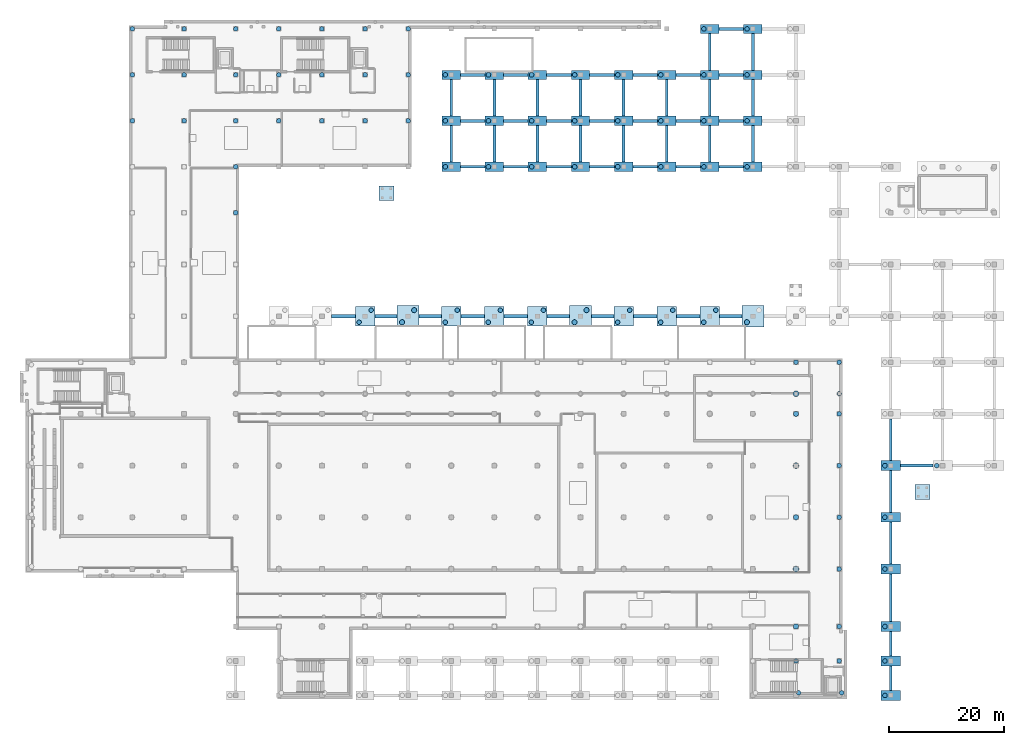
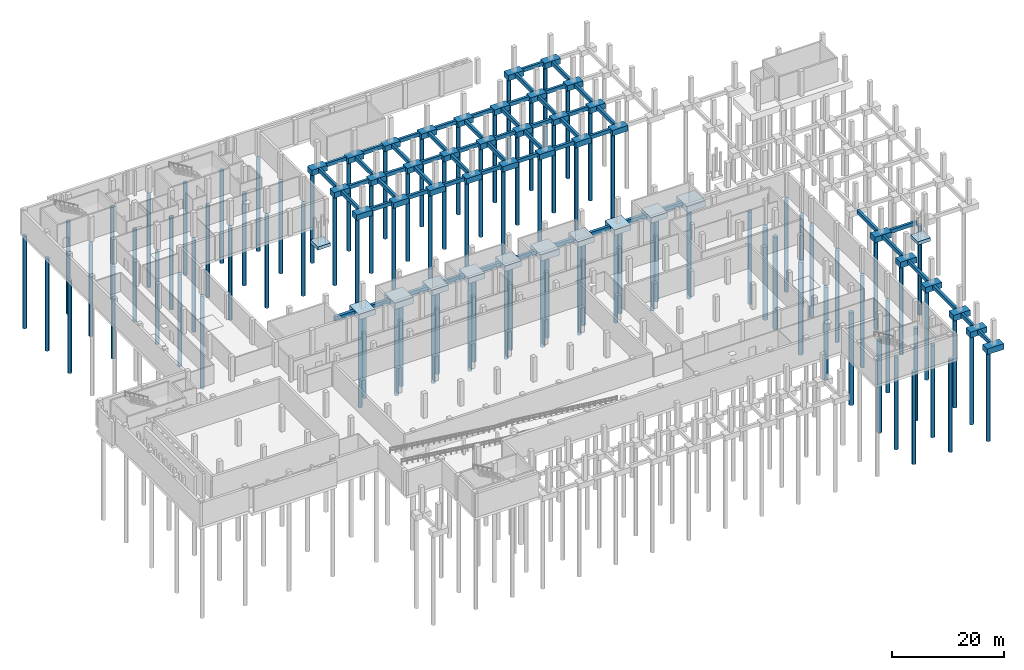
# One storey, part 2 of 19: 101 footings, 93 piles.
"""IFC4 building model written with IfcOpenShell, lengths in metres."""

from ifc_helpers import new_model, si_unit, direction, frame, origin, origin_2d, place, context, subcontext, project, spatial, rectangle, circle, extrude, material, material_profile, profile_set, type_object, element, save


model = new_model("IFC4")

# Units and contexts
model_context = context("Model", 3, precision=1e-05, world=origin(), true_north=direction((0.0, 1.0)))
body_context = subcontext(model_context, "Body", "Model", "MODEL_VIEW")
ifc_project = project(units=[si_unit("LENGTHUNIT", "METRE"), si_unit("AREAUNIT", "SQUARE_METRE"), si_unit("VOLUMEUNIT", "CUBIC_METRE"), si_unit("PLANEANGLEUNIT", "RADIAN"), si_unit("MASSUNIT", "GRAM", prefix="KILO")], contexts=[model_context])

# Site, building, storey
site_placement = place(None, origin())
site = spatial("IfcSite", under=ifc_project, at=site_placement, CompositionType="ELEMENT")
building_placement = place(site_placement, origin())
building = spatial("IfcBuilding", under=site, at=building_placement, Name="Vourika Railside Aquatics Centre", CompositionType="ELEMENT")
storey_placement = place(building_placement, frame((0.0, 0.0, -5.39990234375)))
storey = spatial("IfcBuildingStorey", under=building, at=storey_placement, Name="B1", CompositionType="ELEMENT", Elevation=-5.39990234375)

# Footings
ifc_material = material(Name="Concrete C40/50", Category="concrete")
footing_type_1 = type_object("IfcFootingType", Name="FTG-GB-500x800", PredefinedType="FOOTING_BEAM", material=ifc_material)
footing_1_placement = place(storey_placement, frame((154.5, 40.0, -0.80029296875), z_axis=(0.0, 0.0, 1.0), x_axis=(1.0, 0.0, 0.0)))
element("IfcFooting", 1, at=footing_1_placement, inside=storey, type_object=footing_type_1, Name="Ground Tie Beam GBX-017", PredefinedType="FOOTING_BEAM", context=body_context, shape_type="SweptSolid", body=[
    extrude(rectangle(XDim=5.60009765625, YDim=0.5, at=origin_2d()), origin(), (0.0, 0.0, 1.0), 0.800048828125),
])
for number, where, z_axis, x_axis, name in (
    (2, (77.25, 92.0, -0.80029296875), (0.0, 0.0, 1.0), (1.0, 0.0, 0.0), "Ground Tie Beam GBX-042"),
    (3, (84.75, 92.0, -0.80029296875), (0.0, 0.0, 1.0), (1.0, 0.0, 0.0), "Ground Tie Beam GBX-043"),
    (4, (92.25, 92.0, -0.80029296875), (0.0, 0.0, 1.0), (1.0, 0.0, 0.0), "Ground Tie Beam GBX-044"),
    (5, (99.75, 92.0, -0.80029296875), (0.0, 0.0, 1.0), (1.0, 0.0, 0.0), "Ground Tie Beam GBX-045"),
    (6, (107.25, 92.0, -0.80029296875), (0.0, 0.0, 1.0), (1.0, 0.0, 0.0), "Ground Tie Beam GBX-046"),
    (7, (114.75, 92.0, -0.80029296875), (0.0, 0.0, 1.0), (1.0, 0.0, 0.0), "Ground Tie Beam GBX-047"),
    (8, (122.25, 92.0, -0.80029296875), (0.0, 0.0, 1.0), (1.0, 0.0, 0.0), "Ground Tie Beam GBX-048"),
    (9, (77.25, 100.0, -0.80029296875), (0.0, 0.0, 1.0), (1.0, 0.0, 0.0), "Ground Tie Beam GBX-052"),
    (10, (84.75, 100.0, -0.80029296875), (0.0, 0.0, 1.0), (1.0, 0.0, 0.0), "Ground Tie Beam GBX-053"),
    (11, (92.25, 100.0, -0.80029296875), (0.0, 0.0, 1.0), (1.0, 0.0, 0.0), "Ground Tie Beam GBX-054"),
    (12, (99.75, 100.0, -0.80029296875), (0.0, 0.0, 1.0), (1.0, 0.0, 0.0), "Ground Tie Beam GBX-055"),
    (13, (107.25, 100.0, -0.80029296875), (0.0, 0.0, 1.0), (1.0, 0.0, 0.0), "Ground Tie Beam GBX-056"),
    (14, (114.75, 100.0, -0.80029296875), (0.0, 0.0, 1.0), (1.0, 0.0, 0.0), "Ground Tie Beam GBX-057"),
    (15, (122.25, 100.0, -0.80029296875), (0.0, 0.0, 1.0), (1.0, 0.0, 0.0), "Ground Tie Beam GBX-058"),
    (16, (77.25, 108.0, -0.80029296875), (0.0, 0.0, 1.0), (1.0, 0.0, 0.0), "Ground Tie Beam GBX-060"),
    (17, (84.75, 108.0, -0.80029296875), (0.0, 0.0, 1.0), (1.0, 0.0, 0.0), "Ground Tie Beam GBX-061"),
    (18, (92.25, 108.0, -0.80029296875), (0.0, 0.0, 1.0), (1.0, 0.0, 0.0), "Ground Tie Beam GBX-062"),
    (19, (99.75, 108.0, -0.80029296875), (0.0, 0.0, 1.0), (1.0, 0.0, 0.0), "Ground Tie Beam GBX-063"),
    (20, (107.25, 108.0, -0.80029296875), (0.0, 0.0, 1.0), (1.0, 0.0, 0.0), "Ground Tie Beam GBX-064"),
    (21, (114.75, 108.0, -0.80029296875), (0.0, 0.0, 1.0), (1.0, 0.0, 0.0), "Ground Tie Beam GBX-065"),
    (22, (122.25, 108.0, -0.80029296875), (0.0, 0.0, 1.0), (1.0, 0.0, 0.0), "Ground Tie Beam GBX-066"),
    (23, (122.25, 116.0, -0.80029296875), (0.0, 0.0, 1.0), (1.0, 0.0, 0.0), "Ground Tie Beam GBX-068"),
):
    element("IfcFooting", number, at=place(storey_placement, frame(where, z_axis=z_axis, x_axis=x_axis)), inside=storey, type_object=footing_type_1, Name=name, PredefinedType="FOOTING_BEAM", context=body_context, shape_type="SweptSolid", body=[
        extrude(rectangle(XDim=4.300048828125, YDim=0.5, at=origin_2d()), origin(), (0.0, 0.0, 1.0), 0.800048828125),
    ])
for number, where, z_axis, x_axis, name in (
    (24, (73.5, 96.0, -0.80029296875), (0.0, 0.0, 1.0), (0.0, 1.0, 0.0), "Ground Tie Beam GBY-074"),
    (25, (73.5, 104.0, -0.80029296875), (0.0, 0.0, 1.0), (0.0, 1.0, 0.0), "Ground Tie Beam GBY-075"),
    (26, (81.0, 96.0, -0.80029296875), (0.0, 0.0, 1.0), (0.0, 1.0, 0.0), "Ground Tie Beam GBY-077"),
    (27, (81.0, 104.0, -0.80029296875), (0.0, 0.0, 1.0), (0.0, 1.0, 0.0), "Ground Tie Beam GBY-078"),
    (28, (88.5, 96.0, -0.80029296875), (0.0, 0.0, 1.0), (0.0, 1.0, 0.0), "Ground Tie Beam GBY-080"),
    (29, (88.5, 104.0, -0.80029296875), (0.0, 0.0, 1.0), (0.0, 1.0, 0.0), "Ground Tie Beam GBY-081"),
    (30, (96.0, 96.0, -0.80029296875), (0.0, 0.0, 1.0), (0.0, 1.0, 0.0), "Ground Tie Beam GBY-083"),
    (31, (96.0, 104.0, -0.80029296875), (0.0, 0.0, 1.0), (0.0, 1.0, 0.0), "Ground Tie Beam GBY-084"),
    (32, (103.5, 96.0, -0.80029296875), (0.0, 0.0, 1.0), (0.0, 1.0, 0.0), "Ground Tie Beam GBY-086"),
    (33, (103.5, 104.0, -0.80029296875), (0.0, 0.0, 1.0), (0.0, 1.0, 0.0), "Ground Tie Beam GBY-087"),
    (34, (111.0, 96.0, -0.80029296875), (0.0, 0.0, 1.0), (0.0, 1.0, 0.0), "Ground Tie Beam GBY-089"),
    (35, (111.0, 104.0, -0.80029296875), (0.0, 0.0, 1.0), (0.0, 1.0, 0.0), "Ground Tie Beam GBY-090"),
    (36, (118.5, 96.0, -0.80029296875), (0.0, 0.0, 1.0), (0.0, 1.0, 0.0), "Ground Tie Beam GBY-092"),
    (37, (118.5, 104.0, -0.80029296875), (0.0, 0.0, 1.0), (0.0, 1.0, 0.0), "Ground Tie Beam GBY-093"),
    (38, (118.5, 112.0, -0.80029296875), (0.0, 0.0, 1.0), (0.0, 1.0, 0.0), "Ground Tie Beam GBY-094"),
    (39, (126.0, 96.0, -0.80029296875), (0.0, 0.0, 1.0), (0.0, 1.0, 0.0), "Ground Tie Beam GBY-095"),
    (40, (126.0, 104.0, -0.80029296875), (0.0, 0.0, 1.0), (0.0, 1.0, 0.0), "Ground Tie Beam GBY-096"),
    (41, (126.0, 112.0, -0.80029296875), (0.0, 0.0, 1.0), (0.0, 1.0, 0.0), "Ground Tie Beam GBY-097"),
):
    element("IfcFooting", number, at=place(storey_placement, frame(where, z_axis=z_axis, x_axis=x_axis)), inside=storey, type_object=footing_type_1, Name=name, PredefinedType="FOOTING_BEAM", context=body_context, shape_type="SweptSolid", body=[
        extrude(rectangle(XDim=6.39990234375, YDim=0.5, at=origin_2d()), origin(), (0.0, 0.0, 1.0), 0.800048828125),
    ])
for number, where, z_axis, x_axis, name in (
    (42, (150.0, 3.0, -0.80029296875), (0.0, 0.0, 1.0), (0.0, 1.0, 0.0), "Ground Tie Beam GBY-104"),
    (43, (150.0, 9.0, -0.80029296875), (0.0, 0.0, 1.0), (0.0, 1.0, 0.0), "Ground Tie Beam GBY-105"),
):
    element("IfcFooting", number, at=place(storey_placement, frame(where, z_axis=z_axis, x_axis=x_axis)), inside=storey, type_object=footing_type_1, Name=name, PredefinedType="FOOTING_BEAM", context=body_context, shape_type="SweptSolid", body=[
        extrude(rectangle(XDim=4.300048828125, YDim=0.5, at=origin_2d()), origin(), (0.0, 0.0, 1.0), 0.800048828125),
    ])
footing_2_placement = place(storey_placement, frame((150.0, 17.0, -0.80029296875), z_axis=(0.0, 0.0, 1.0), x_axis=(0.0, 1.0, 0.0)))
element("IfcFooting", 44, at=footing_2_placement, inside=storey, type_object=footing_type_1, Name="Ground Tie Beam GBY-106", PredefinedType="FOOTING_BEAM", context=body_context, shape_type="SweptSolid", body=[
    extrude(rectangle(XDim=8.300048828125, YDim=0.5, at=origin_2d()), origin(), (0.0, 0.0, 1.0), 0.800048828125),
])
for number, where, z_axis, x_axis, name in (
    (45, (150.0, 26.5, -0.80029296875), (0.0, 0.0, 1.0), (0.0, 1.0, 0.0), "Ground Tie Beam GBY-107"),
    (46, (150.0, 35.5, -0.80029296875), (0.0, 0.0, 1.0), (0.0, 1.0, 0.0), "Ground Tie Beam GBY-108"),
    (47, (150.0, 44.5, -0.80029296875), (0.0, 0.0, 1.0), (0.0, 1.0, 0.0), "Ground Tie Beam GBY-109"),
):
    element("IfcFooting", number, at=place(storey_placement, frame(where, z_axis=z_axis, x_axis=x_axis)), inside=storey, type_object=footing_type_1, Name=name, PredefinedType="FOOTING_BEAM", context=body_context, shape_type="SweptSolid", body=[
        extrude(rectangle(XDim=7.300048828125, YDim=0.5, at=origin_2d()), origin(), (0.0, 0.0, 1.0), 0.800048828125),
    ])
footing_type_2 = type_object("IfcFootingType", Name="FTG-GB-600x900", PredefinedType="FOOTING_BEAM", material=ifc_material)
footing_3_placement = place(storey_placement, frame((54.75, 66.0, -0.900146484375), z_axis=(0.0, 0.0, 1.0), x_axis=(1.0, 0.0, 0.0)))
element("IfcFooting", 48, at=footing_3_placement, inside=storey, type_object=footing_type_2, Name="Ground Tie Beam GBX-024", PredefinedType="FOOTING_BEAM", context=body_context, shape_type="SweptSolid", body=[
    extrude(rectangle(XDim=4.10009765625, YDim=0.60009765625, at=origin_2d()), origin(), (0.0, 0.0, 1.0), 0.89990234375),
])
for number, where, z_axis, x_axis, name in (
    (49, (62.14990234375, 66.0, -0.900146484375), (0.0, 0.0, 1.0), (1.0, 0.0, 0.0), "Ground Tie Beam GBX-025"),
    (50, (69.85009765625, 66.0, -0.900146484375), (0.0, 0.0, 1.0), (1.0, 0.0, 0.0), "Ground Tie Beam GBX-026"),
):
    element("IfcFooting", number, at=place(storey_placement, frame(where, z_axis=z_axis, x_axis=x_axis)), inside=storey, type_object=footing_type_2, Name=name, PredefinedType="FOOTING_BEAM", context=body_context, shape_type="SweptSolid", body=[
        extrude(rectangle(XDim=3.89990234375, YDim=0.60009765625, at=origin_2d()), origin(), (0.0, 0.0, 1.0), 0.89990234375),
    ])
for number, where, z_axis, x_axis, name in (
    (51, (77.25, 66.0, -0.900146484375), (0.0, 0.0, 1.0), (1.0, 0.0, 0.0), "Ground Tie Beam GBX-027"),
    (52, (84.75, 66.0, -0.900146484375), (0.0, 0.0, 1.0), (1.0, 0.0, 0.0), "Ground Tie Beam GBX-028"),
):
    element("IfcFooting", number, at=place(storey_placement, frame(where, z_axis=z_axis, x_axis=x_axis)), inside=storey, type_object=footing_type_2, Name=name, PredefinedType="FOOTING_BEAM", context=body_context, shape_type="SweptSolid", body=[
        extrude(rectangle(XDim=4.10009765625, YDim=0.60009765625, at=origin_2d()), origin(), (0.0, 0.0, 1.0), 0.89990234375),
    ])
for number, where, z_axis, x_axis, name in (
    (53, (92.14990234375, 66.0, -0.900146484375), (0.0, 0.0, 1.0), (1.0, 0.0, 0.0), "Ground Tie Beam GBX-029"),
    (54, (99.85009765625, 66.0, -0.900146484375), (0.0, 0.0, 1.0), (1.0, 0.0, 0.0), "Ground Tie Beam GBX-030"),
):
    element("IfcFooting", number, at=place(storey_placement, frame(where, z_axis=z_axis, x_axis=x_axis)), inside=storey, type_object=footing_type_2, Name=name, PredefinedType="FOOTING_BEAM", context=body_context, shape_type="SweptSolid", body=[
        extrude(rectangle(XDim=3.89990234375, YDim=0.60009765625, at=origin_2d()), origin(), (0.0, 0.0, 1.0), 0.89990234375),
    ])
for number, where, z_axis, x_axis, name in (
    (55, (107.25, 66.0, -0.900146484375), (0.0, 0.0, 1.0), (1.0, 0.0, 0.0), "Ground Tie Beam GBX-031"),
    (56, (114.75, 66.0, -0.900146484375), (0.0, 0.0, 1.0), (1.0, 0.0, 0.0), "Ground Tie Beam GBX-032"),
):
    element("IfcFooting", number, at=place(storey_placement, frame(where, z_axis=z_axis, x_axis=x_axis)), inside=storey, type_object=footing_type_2, Name=name, PredefinedType="FOOTING_BEAM", context=body_context, shape_type="SweptSolid", body=[
        extrude(rectangle(XDim=4.10009765625, YDim=0.60009765625, at=origin_2d()), origin(), (0.0, 0.0, 1.0), 0.89990234375),
    ])
footing_4_placement = place(storey_placement, frame((122.14990234375, 66.0, -0.900146484375), z_axis=(0.0, 0.0, 1.0), x_axis=(1.0, 0.0, 0.0)))
element("IfcFooting", 57, at=footing_4_placement, inside=storey, type_object=footing_type_2, Name="Ground Tie Beam GBX-033", PredefinedType="FOOTING_BEAM", context=body_context, shape_type="SweptSolid", body=[
    extrude(rectangle(XDim=3.89990234375, YDim=0.60009765625, at=origin_2d()), origin(), (0.0, 0.0, 1.0), 0.89990234375),
])
footing_type_3 = type_object("IfcFootingType", Name="FTG-PAD-260x260", PredefinedType="PAD_FOOTING", material=ifc_material)
for number, where, z_axis, x_axis, name in (
    (58, (155.5, 35.39990234375, -0.7001953125), (0.0, 0.0, 1.0), (1.0, 0.0, 0.0), "Accessible Ramp Foundation Pad PF-01"),
    (59, (62.25, 87.39990234375, -0.7001953125), (0.0, 0.0, 1.0), (1.0, 0.0, 0.0), "Accessible Ramp Foundation Pad PF-02"),
):
    element("IfcFooting", number, at=place(storey_placement, frame(where, z_axis=z_axis, x_axis=x_axis)), inside=storey, type_object=footing_type_3, Name=name, PredefinedType="PAD_FOOTING", context=body_context, shape_type="SweptSolid", body=[
        extrude(rectangle(XDim=2.60009765625, YDim=2.60009765625, at=origin_2d()), origin(), (0.0, 0.0, 1.0), 0.699951171875),
    ])
footing_type_4 = type_object("IfcFootingType", Name="FTG-PC2-320x160", PredefinedType="PILE_CAP", material=ifc_material)
for number, where, z_axis, x_axis, name in (
    (60, (73.5, 92.0, -1.2001953125), (0.0, 0.0, 1.0), (1.0, 0.0, 0.0), "Pile Cap ftg:B1:cap_735_920"),
    (61, (73.5, 100.0, -1.2001953125), (0.0, 0.0, 1.0), (1.0, 0.0, 0.0), "Pile Cap ftg:B1:cap_735_1000"),
    (62, (73.5, 108.0, -1.2001953125), (0.0, 0.0, 1.0), (1.0, 0.0, 0.0), "Pile Cap ftg:B1:cap_735_1080"),
    (63, (81.0, 92.0, -1.2001953125), (0.0, 0.0, 1.0), (1.0, 0.0, 0.0), "Pile Cap ftg:B1:cap_810_920"),
    (64, (81.0, 100.0, -1.2001953125), (0.0, 0.0, 1.0), (1.0, 0.0, 0.0), "Pile Cap ftg:B1:cap_810_1000"),
    (65, (81.0, 108.0, -1.2001953125), (0.0, 0.0, 1.0), (1.0, 0.0, 0.0), "Pile Cap ftg:B1:cap_810_1080"),
    (66, (88.5, 92.0, -1.2001953125), (0.0, 0.0, 1.0), (1.0, 0.0, 0.0), "Pile Cap ftg:B1:cap_885_920"),
    (67, (88.5, 100.0, -1.2001953125), (0.0, 0.0, 1.0), (1.0, 0.0, 0.0), "Pile Cap ftg:B1:cap_885_1000"),
    (68, (88.5, 108.0, -1.2001953125), (0.0, 0.0, 1.0), (1.0, 0.0, 0.0), "Pile Cap ftg:B1:cap_885_1080"),
    (69, (96.0, 92.0, -1.2001953125), (0.0, 0.0, 1.0), (1.0, 0.0, 0.0), "Pile Cap ftg:B1:cap_960_920"),
    (70, (96.0, 100.0, -1.2001953125), (0.0, 0.0, 1.0), (1.0, 0.0, 0.0), "Pile Cap ftg:B1:cap_960_1000"),
    (71, (96.0, 108.0, -1.2001953125), (0.0, 0.0, 1.0), (1.0, 0.0, 0.0), "Pile Cap ftg:B1:cap_960_1080"),
    (72, (103.5, 92.0, -1.2001953125), (0.0, 0.0, 1.0), (1.0, 0.0, 0.0), "Pile Cap ftg:B1:cap_1035_920"),
    (73, (103.5, 100.0, -1.2001953125), (0.0, 0.0, 1.0), (1.0, 0.0, 0.0), "Pile Cap ftg:B1:cap_1035_1000"),
    (74, (103.5, 108.0, -1.2001953125), (0.0, 0.0, 1.0), (1.0, 0.0, 0.0), "Pile Cap ftg:B1:cap_1035_1080"),
    (75, (111.0, 92.0, -1.2001953125), (0.0, 0.0, 1.0), (1.0, 0.0, 0.0), "Pile Cap ftg:B1:cap_1110_920"),
    (76, (111.0, 100.0, -1.2001953125), (0.0, 0.0, 1.0), (1.0, 0.0, 0.0), "Pile Cap ftg:B1:cap_1110_1000"),
    (77, (111.0, 108.0, -1.2001953125), (0.0, 0.0, 1.0), (1.0, 0.0, 0.0), "Pile Cap ftg:B1:cap_1110_1080"),
    (78, (118.5, 92.0, -1.2001953125), (0.0, 0.0, 1.0), (1.0, 0.0, 0.0), "Pile Cap ftg:B1:cap_1185_920"),
    (79, (118.5, 100.0, -1.2001953125), (0.0, 0.0, 1.0), (1.0, 0.0, 0.0), "Pile Cap ftg:B1:cap_1185_1000"),
    (80, (118.5, 108.0, -1.2001953125), (0.0, 0.0, 1.0), (1.0, 0.0, 0.0), "Pile Cap ftg:B1:cap_1185_1080"),
    (81, (118.5, 116.0, -1.2001953125), (0.0, 0.0, 1.0), (1.0, 0.0, 0.0), "Pile Cap ftg:B1:cap_1185_1160"),
    (82, (126.0, 92.0, -1.2001953125), (0.0, 0.0, 1.0), (1.0, 0.0, 0.0), "Pile Cap ftg:B1:cap_1260_920"),
    (83, (126.0, 100.0, -1.2001953125), (0.0, 0.0, 1.0), (1.0, 0.0, 0.0), "Pile Cap ftg:B1:cap_1260_1000"),
    (84, (126.0, 108.0, -1.2001953125), (0.0, 0.0, 1.0), (1.0, 0.0, 0.0), "Pile Cap ftg:B1:cap_1260_1080"),
    (85, (126.0, 116.0, -1.2001953125), (0.0, 0.0, 1.0), (1.0, 0.0, 0.0), "Pile Cap ftg:B1:cap_1260_1160"),
):
    element("IfcFooting", number, at=place(storey_placement, frame(where, z_axis=z_axis, x_axis=x_axis)), inside=storey, type_object=footing_type_4, Name=name, PredefinedType="PILE_CAP", context=body_context, shape_type="SweptSolid", body=[
        extrude(rectangle(XDim=3.199951171875, YDim=1.60009765625, at=origin_2d()), origin(), (0.0, 0.0, 1.0), 1.199951171875),
    ])
footing_type_5 = type_object("IfcFootingType", Name="FTG-PC2-340x170", PredefinedType="PILE_CAP", material=ifc_material)
for number, where, z_axis, x_axis, name in (
    (86, (150.0, 0.0, -1.25), (0.0, 0.0, 1.0), (1.0, 0.0, 0.0), "Pile Cap ftg:B1:cap_1500_0"),
    (87, (150.0, 6.0, -1.25), (0.0, 0.0, 1.0), (1.0, 0.0, 0.0), "Pile Cap ftg:B1:cap_1500_60"),
    (88, (150.0, 12.0, -1.25), (0.0, 0.0, 1.0), (1.0, 0.0, 0.0), "Pile Cap ftg:B1:cap_1500_120"),
    (89, (150.0, 22.0, -1.25), (0.0, 0.0, 1.0), (1.0, 0.0, 0.0), "Pile Cap ftg:B1:cap_1500_220"),
    (90, (150.0, 31.0, -1.25), (0.0, 0.0, 1.0), (1.0, 0.0, 0.0), "Pile Cap ftg:B1:cap_1500_310"),
    (91, (150.0, 40.0, -1.25), (0.0, 0.0, 1.0), (1.0, 0.0, 0.0), "Pile Cap ftg:B1:cap_1500_400"),
):
    element("IfcFooting", number, at=place(storey_placement, frame(where, z_axis=z_axis, x_axis=x_axis)), inside=storey, type_object=footing_type_5, Name=name, PredefinedType="PILE_CAP", context=body_context, shape_type="SweptSolid", body=[
        extrude(rectangle(XDim=3.39990234375, YDim=1.699951171875, at=origin_2d()), origin(), (0.0, 0.0, 1.0), 1.25),
    ])
footing_type_6 = type_object("IfcFootingType", Name="FTG-PC4-340x340", PredefinedType="PILE_CAP", material=ifc_material)
for number, where, z_axis, x_axis, name in (
    (92, (58.5, 66.0, -1.2001953125), (0.0, 0.0, 1.0), (1.0, 0.0, 0.0), "Pile Cap ftg:B1:cap_585_660"),
    (93, (73.5, 66.0, -1.2001953125), (0.0, 0.0, 1.0), (1.0, 0.0, 0.0), "Pile Cap ftg:B1:cap_735_660"),
    (94, (81.0, 66.0, -1.2001953125), (0.0, 0.0, 1.0), (1.0, 0.0, 0.0), "Pile Cap ftg:B1:cap_810_660"),
    (95, (88.5, 66.0, -1.2001953125), (0.0, 0.0, 1.0), (1.0, 0.0, 0.0), "Pile Cap ftg:B1:cap_885_660"),
    (96, (103.5, 66.0, -1.2001953125), (0.0, 0.0, 1.0), (1.0, 0.0, 0.0), "Pile Cap ftg:B1:cap_1035_660"),
    (97, (111.0, 66.0, -1.2001953125), (0.0, 0.0, 1.0), (1.0, 0.0, 0.0), "Pile Cap ftg:B1:cap_1110_660"),
    (98, (118.5, 66.0, -1.2001953125), (0.0, 0.0, 1.0), (1.0, 0.0, 0.0), "Pile Cap ftg:B1:cap_1185_660"),
):
    element("IfcFooting", number, at=place(storey_placement, frame(where, z_axis=z_axis, x_axis=x_axis)), inside=storey, type_object=footing_type_6, Name=name, PredefinedType="PILE_CAP", context=body_context, shape_type="SweptSolid", body=[
        extrude(rectangle(XDim=3.39990234375, YDim=3.39990234375, at=origin_2d()), origin(), (0.0, 0.0, 1.0), 1.199951171875),
    ])
footing_type_7 = type_object("IfcFootingType", Name="FTG-PC4-380x380", PredefinedType="PILE_CAP", material=ifc_material)
for number, where, z_axis, x_axis, name in (
    (99, (66.0, 66.0, -1.35009765625), (0.0, 0.0, 1.0), (1.0, 0.0, 0.0), "Pile Cap ftg:B1:cap_660_660"),
    (100, (96.0, 66.0, -1.35009765625), (0.0, 0.0, 1.0), (1.0, 0.0, 0.0), "Pile Cap ftg:B1:cap_960_660"),
    (101, (126.0, 66.0, -1.35009765625), (0.0, 0.0, 1.0), (1.0, 0.0, 0.0), "Pile Cap ftg:B1:cap_1260_660"),
):
    element("IfcFooting", number, at=place(storey_placement, frame(where, z_axis=z_axis, x_axis=x_axis)), inside=storey, type_object=footing_type_7, Name=name, PredefinedType="PILE_CAP", context=body_context, shape_type="SweptSolid", body=[
        extrude(rectangle(XDim=3.800048828125, YDim=3.800048828125, at=origin_2d()), origin(), (0.0, 0.0, 1.0), 1.35009765625),
    ])

# Piles
ifc_material_profile_1 = material_profile(ifc_material, circle(Radius=0.5, at=origin_2d()), Name="BP 1000")
ifc_profile_set_1 = profile_set([ifc_material_profile_1], Name="Concrete C40/50")
pile_type_1 = type_object("IfcPileType", Name="PILE-BP1000", PredefinedType="BORED", material=ifc_profile_set_1)
for number, where, z_axis, x_axis, name in (
    (102, (133.5, 22.0, -0.5), (0.0, 0.0, -1.0), (1.0, 0.0, 0.0), "Bored Pile pile:B1:R220"),
    (103, (133.5, 40.0, -0.5), (0.0, 0.0, -1.0), (1.0, 0.0, 0.0), "Bored Pile pile:B1:R222"),
    (104, (133.5, 52.5, -0.5), (0.0, 0.0, -1.0), (1.0, 0.0, 0.0), "Bored Pile pile:B1:R278"),
):
    element("IfcPile", number, at=place(storey_placement, frame(where, z_axis=z_axis, x_axis=x_axis)), inside=storey, type_object=pile_type_1, Name=name, PredefinedType="BORED", context=body_context, shape_type="SweptSolid", body=[
        extrude(circle(Radius=0.5, at=origin_2d()), origin(), (0.0, 0.0, 1.0), 20.10009765625),
    ])
ifc_material_profile_2 = material_profile(ifc_material, circle(Radius=0.39990234375, at=origin_2d()), Name="BP 800")
ifc_profile_set_2 = profile_set([ifc_material_profile_2], Name="Concrete C40/50")
pile_type_2 = type_object("IfcPileType", Name="PILE-BP800", PredefinedType="BORED", material=ifc_profile_set_2)
for number, where, z_axis, x_axis, name in (
    (105, (18.0, 100.0, -0.5), (0.0, 0.0, -1.0), (1.0, 0.0, 0.0), "Bored Pile pile:B1:E030"),
    (106, (18.0, 108.0, -0.5), (0.0, 0.0, -1.0), (1.0, 0.0, 0.0), "Bored Pile pile:B1:E031"),
    (107, (18.0, 116.0, -0.5), (0.0, 0.0, -1.0), (1.0, 0.0, 0.0), "Bored Pile pile:B1:E032"),
    (108, (27.0, 100.0, -0.5), (0.0, 0.0, -1.0), (1.0, 0.0, 0.0), "Bored Pile pile:B1:R042"),
    (109, (27.0, 108.0, -0.5), (0.0, 0.0, -1.0), (1.0, 0.0, 0.0), "Bored Pile pile:B1:R043"),
    (110, (27.0, 116.0, -0.5), (0.0, 0.0, -1.0), (1.0, 0.0, 0.0), "Bored Pile pile:B1:R044"),
    (111, (36.0, 84.0, -0.5), (0.0, 0.0, -1.0), (1.0, 0.0, 0.0), "Bored Pile pile:B1:E054"),
    (112, (36.0, 92.0, -0.5), (0.0, 0.0, -1.0), (1.0, 0.0, 0.0), "Bored Pile pile:B1:E055"),
    (113, (36.0, 100.0, -0.5), (0.0, 0.0, -1.0), (1.0, 0.0, 0.0), "Bored Pile pile:B1:R056"),
    (114, (36.0, 108.0, -0.5), (0.0, 0.0, -1.0), (1.0, 0.0, 0.0), "Bored Pile pile:B1:R057"),
    (115, (36.0, 116.0, -0.5), (0.0, 0.0, -1.0), (1.0, 0.0, 0.0), "Bored Pile pile:B1:R058"),
    (116, (43.5, 100.0, -0.5), (0.0, 0.0, -1.0), (1.0, 0.0, 0.0), "Bored Pile pile:B1:R069"),
    (117, (43.5, 108.0, -0.5), (0.0, 0.0, -1.0), (1.0, 0.0, 0.0), "Bored Pile pile:B1:R070"),
    (118, (43.5, 116.0, -0.5), (0.0, 0.0, -1.0), (1.0, 0.0, 0.0), "Bored Pile pile:B1:R071"),
    (119, (51.0, 100.0, -0.5), (0.0, 0.0, -1.0), (1.0, 0.0, 0.0), "Bored Pile pile:B1:R082"),
    (120, (51.0, 108.0, -0.5), (0.0, 0.0, -1.0), (1.0, 0.0, 0.0), "Bored Pile pile:B1:R083"),
    (121, (51.0, 116.0, -0.5), (0.0, 0.0, -1.0), (1.0, 0.0, 0.0), "Bored Pile pile:B1:R084"),
):
    element("IfcPile", number, at=place(storey_placement, frame(where, z_axis=z_axis, x_axis=x_axis)), inside=storey, type_object=pile_type_2, Name=name, PredefinedType="BORED", context=body_context, shape_type="SweptSolid", body=[
        extrude(circle(Radius=0.39990234375, at=origin_2d()), origin(), (0.0, 0.0, 1.0), 20.10009765625),
    ])
for number, where, z_axis, x_axis, name in (
    (122, (57.449951171875, 64.949951171875, -1.10009765625), (0.0, 0.0, -1.0), (1.0, 0.0, 0.0), "Bored Pile pile:B1:C093"),
    (123, (59.550048828125, 67.050048828125, -1.10009765625), (0.0, 0.0, -1.0), (1.0, 0.0, 0.0), "Bored Pile pile:B1:C094"),
):
    element("IfcPile", number, at=place(storey_placement, frame(where, z_axis=z_axis, x_axis=x_axis)), inside=storey, type_object=pile_type_2, Name=name, PredefinedType="BORED", context=body_context, shape_type="SweptSolid", body=[
        extrude(circle(Radius=0.39990234375, at=origin_2d()), origin(), (0.0, 0.0, 1.0), 19.5),
    ])
for number, where, z_axis, x_axis, name in (
    (124, (58.5, 100.0, -0.5), (0.0, 0.0, -1.0), (1.0, 0.0, 0.0), "Bored Pile pile:B1:R095"),
    (125, (58.5, 108.0, -0.5), (0.0, 0.0, -1.0), (1.0, 0.0, 0.0), "Bored Pile pile:B1:R096"),
    (126, (58.5, 116.0, -0.5), (0.0, 0.0, -1.0), (1.0, 0.0, 0.0), "Bored Pile pile:B1:R097"),
    (127, (66.0, 100.0, -0.5), (0.0, 0.0, -1.0), (1.0, 0.0, 0.0), "Bored Pile pile:B1:E108"),
    (128, (66.0, 108.0, -0.5), (0.0, 0.0, -1.0), (1.0, 0.0, 0.0), "Bored Pile pile:B1:E109"),
    (129, (66.0, 116.0, -0.5), (0.0, 0.0, -1.0), (1.0, 0.0, 0.0), "Bored Pile pile:B1:E110"),
):
    element("IfcPile", number, at=place(storey_placement, frame(where, z_axis=z_axis, x_axis=x_axis)), inside=storey, type_object=pile_type_2, Name=name, PredefinedType="BORED", context=body_context, shape_type="SweptSolid", body=[
        extrude(circle(Radius=0.39990234375, at=origin_2d()), origin(), (0.0, 0.0, 1.0), 20.10009765625),
    ])
for number, where, z_axis, x_axis, name in (
    (130, (72.449951171875, 64.949951171875, -1.10009765625), (0.0, 0.0, -1.0), (1.0, 0.0, 0.0), "Bored Pile pile:B1:C119"),
    (131, (74.550048828125, 67.050048828125, -1.10009765625), (0.0, 0.0, -1.0), (1.0, 0.0, 0.0), "Bored Pile pile:B1:C120"),
    (132, (72.47998046875, 92.0, -1.10009765625), (0.0, 0.0, -1.0), (1.0, 0.0, 0.0), "Bored Pile pile:B1:C121"),
    (133, (72.47998046875, 100.0, -1.10009765625), (0.0, 0.0, -1.0), (1.0, 0.0, 0.0), "Bored Pile pile:B1:C122"),
    (134, (72.47998046875, 108.0, -1.10009765625), (0.0, 0.0, -1.0), (1.0, 0.0, 0.0), "Bored Pile pile:B1:C123"),
    (135, (79.949951171875, 64.949951171875, -1.10009765625), (0.0, 0.0, -1.0), (1.0, 0.0, 0.0), "Bored Pile pile:B1:C132"),
    (136, (82.050048828125, 67.050048828125, -1.10009765625), (0.0, 0.0, -1.0), (1.0, 0.0, 0.0), "Bored Pile pile:B1:C133"),
    (137, (79.97998046875, 92.0, -1.10009765625), (0.0, 0.0, -1.0), (1.0, 0.0, 0.0), "Bored Pile pile:B1:C134"),
    (138, (79.97998046875, 100.0, -1.10009765625), (0.0, 0.0, -1.0), (1.0, 0.0, 0.0), "Bored Pile pile:B1:C135"),
    (139, (79.97998046875, 108.0, -1.10009765625), (0.0, 0.0, -1.0), (1.0, 0.0, 0.0), "Bored Pile pile:B1:C136"),
    (140, (87.449951171875, 64.949951171875, -1.10009765625), (0.0, 0.0, -1.0), (1.0, 0.0, 0.0), "Bored Pile pile:B1:C145"),
    (141, (89.550048828125, 67.050048828125, -1.10009765625), (0.0, 0.0, -1.0), (1.0, 0.0, 0.0), "Bored Pile pile:B1:C146"),
    (142, (87.47998046875, 92.0, -1.10009765625), (0.0, 0.0, -1.0), (1.0, 0.0, 0.0), "Bored Pile pile:B1:C147"),
    (143, (87.47998046875, 100.0, -1.10009765625), (0.0, 0.0, -1.0), (1.0, 0.0, 0.0), "Bored Pile pile:B1:C148"),
    (144, (87.47998046875, 108.0, -1.10009765625), (0.0, 0.0, -1.0), (1.0, 0.0, 0.0), "Bored Pile pile:B1:C149"),
    (145, (94.97998046875, 92.0, -1.10009765625), (0.0, 0.0, -1.0), (1.0, 0.0, 0.0), "Bored Pile pile:B1:C160"),
    (146, (94.97998046875, 100.0, -1.10009765625), (0.0, 0.0, -1.0), (1.0, 0.0, 0.0), "Bored Pile pile:B1:C161"),
    (147, (94.97998046875, 108.0, -1.10009765625), (0.0, 0.0, -1.0), (1.0, 0.0, 0.0), "Bored Pile pile:B1:C162"),
    (148, (102.449951171875, 64.949951171875, -1.10009765625), (0.0, 0.0, -1.0), (1.0, 0.0, 0.0), "Bored Pile pile:B1:C171"),
    (149, (104.550048828125, 67.050048828125, -1.10009765625), (0.0, 0.0, -1.0), (1.0, 0.0, 0.0), "Bored Pile pile:B1:C172"),
    (150, (102.47998046875, 92.0, -1.10009765625), (0.0, 0.0, -1.0), (1.0, 0.0, 0.0), "Bored Pile pile:B1:C173"),
    (151, (102.47998046875, 100.0, -1.10009765625), (0.0, 0.0, -1.0), (1.0, 0.0, 0.0), "Bored Pile pile:B1:C174"),
    (152, (102.47998046875, 108.0, -1.10009765625), (0.0, 0.0, -1.0), (1.0, 0.0, 0.0), "Bored Pile pile:B1:C175"),
    (153, (109.949951171875, 64.949951171875, -1.10009765625), (0.0, 0.0, -1.0), (1.0, 0.0, 0.0), "Bored Pile pile:B1:C184"),
    (154, (112.050048828125, 67.050048828125, -1.10009765625), (0.0, 0.0, -1.0), (1.0, 0.0, 0.0), "Bored Pile pile:B1:C185"),
    (155, (109.97998046875, 92.0, -1.10009765625), (0.0, 0.0, -1.0), (1.0, 0.0, 0.0), "Bored Pile pile:B1:C186"),
    (156, (109.97998046875, 100.0, -1.10009765625), (0.0, 0.0, -1.0), (1.0, 0.0, 0.0), "Bored Pile pile:B1:C187"),
    (157, (109.97998046875, 108.0, -1.10009765625), (0.0, 0.0, -1.0), (1.0, 0.0, 0.0), "Bored Pile pile:B1:C188"),
    (158, (117.449951171875, 64.949951171875, -1.10009765625), (0.0, 0.0, -1.0), (1.0, 0.0, 0.0), "Bored Pile pile:B1:C197"),
    (159, (119.550048828125, 67.050048828125, -1.10009765625), (0.0, 0.0, -1.0), (1.0, 0.0, 0.0), "Bored Pile pile:B1:C198"),
    (160, (117.47998046875, 92.0, -1.10009765625), (0.0, 0.0, -1.0), (1.0, 0.0, 0.0), "Bored Pile pile:B1:C199"),
    (161, (117.47998046875, 100.0, -1.10009765625), (0.0, 0.0, -1.0), (1.0, 0.0, 0.0), "Bored Pile pile:B1:C200"),
    (162, (117.47998046875, 108.0, -1.10009765625), (0.0, 0.0, -1.0), (1.0, 0.0, 0.0), "Bored Pile pile:B1:C201"),
    (163, (117.47998046875, 116.0, -1.10009765625), (0.0, 0.0, -1.0), (1.0, 0.0, 0.0), "Bored Pile pile:B1:C202"),
    (164, (124.97998046875, 92.0, -1.10009765625), (0.0, 0.0, -1.0), (1.0, 0.0, 0.0), "Bored Pile pile:B1:C213"),
    (165, (124.97998046875, 100.0, -1.10009765625), (0.0, 0.0, -1.0), (1.0, 0.0, 0.0), "Bored Pile pile:B1:C214"),
    (166, (124.97998046875, 108.0, -1.10009765625), (0.0, 0.0, -1.0), (1.0, 0.0, 0.0), "Bored Pile pile:B1:C215"),
    (167, (124.97998046875, 116.0, -1.10009765625), (0.0, 0.0, -1.0), (1.0, 0.0, 0.0), "Bored Pile pile:B1:C216"),
):
    element("IfcPile", number, at=place(storey_placement, frame(where, z_axis=z_axis, x_axis=x_axis)), inside=storey, type_object=pile_type_2, Name=name, PredefinedType="BORED", context=body_context, shape_type="SweptSolid", body=[
        extrude(circle(Radius=0.39990234375, at=origin_2d()), origin(), (0.0, 0.0, 1.0), 19.5),
    ])
for number, where, z_axis, x_axis, name in (
    (168, (133.949951171875, 0.449951171875, -0.5), (0.0, 0.0, -1.0), (1.0, 0.0, 0.0), "Bored Pile pile:B1:E217"),
    (169, (133.5, 6.0, -0.5), (0.0, 0.0, -1.0), (1.0, 0.0, 0.0), "Bored Pile pile:B1:R218"),
    (170, (133.5, 58.0, -0.5), (0.0, 0.0, -1.0), (1.0, 0.0, 0.0), "Bored Pile pile:B1:E224"),
    (171, (141.449951171875, 0.449951171875, -0.5), (0.0, 0.0, -1.0), (1.0, 0.0, 0.0), "Bored Pile pile:B1:E231"),
    (172, (141.0, 6.0, -0.5), (0.0, 0.0, -1.0), (1.0, 0.0, 0.0), "Bored Pile pile:B1:R232"),
    (173, (141.0, 12.0, -0.5), (0.0, 0.0, -1.0), (1.0, 0.0, 0.0), "Bored Pile pile:B1:E233"),
    (174, (141.0, 22.0, -0.5), (0.0, 0.0, -1.0), (1.0, 0.0, 0.0), "Bored Pile pile:B1:E234"),
    (175, (141.0, 31.0, -0.5), (0.0, 0.0, -1.0), (1.0, 0.0, 0.0), "Bored Pile pile:B1:E235"),
    (176, (141.0, 40.0, -0.5), (0.0, 0.0, -1.0), (1.0, 0.0, 0.0), "Bored Pile pile:B1:E236"),
    (177, (141.0, 49.0, -0.5), (0.0, 0.0, -1.0), (1.0, 0.0, 0.0), "Bored Pile pile:B1:E237"),
    (178, (141.0, 58.0, -0.5), (0.0, 0.0, -1.0), (1.0, 0.0, 0.0), "Bored Pile pile:B1:E238"),
):
    element("IfcPile", number, at=place(storey_placement, frame(where, z_axis=z_axis, x_axis=x_axis)), inside=storey, type_object=pile_type_2, Name=name, PredefinedType="BORED", context=body_context, shape_type="SweptSolid", body=[
        extrude(circle(Radius=0.39990234375, at=origin_2d()), origin(), (0.0, 0.0, 1.0), 20.10009765625),
    ])
for number, where, z_axis, x_axis, name in (
    (179, (148.97998046875, 0.0, -1.150146484375), (0.0, 0.0, -1.0), (1.0, 0.0, 0.0), "Bored Pile pile:B1:C244"),
    (180, (148.97998046875, 6.0, -1.150146484375), (0.0, 0.0, -1.0), (1.0, 0.0, 0.0), "Bored Pile pile:B1:C245"),
    (181, (148.97998046875, 12.0, -1.150146484375), (0.0, 0.0, -1.0), (1.0, 0.0, 0.0), "Bored Pile pile:B1:C246"),
    (182, (148.97998046875, 22.0, -1.150146484375), (0.0, 0.0, -1.0), (1.0, 0.0, 0.0), "Bored Pile pile:B1:C247"),
    (183, (148.97998046875, 31.0, -1.150146484375), (0.0, 0.0, -1.0), (1.0, 0.0, 0.0), "Bored Pile pile:B1:C248"),
    (184, (148.97998046875, 40.0, -1.150146484375), (0.0, 0.0, -1.0), (1.0, 0.0, 0.0), "Bored Pile pile:B1:C249"),
    (185, (157.97998046875, 40.0, -1.150146484375), (0.0, 0.0, -1.0), (1.0, 0.0, 0.0), "Bored Pile pile:B1:C255"),
):
    element("IfcPile", number, at=place(storey_placement, frame(where, z_axis=z_axis, x_axis=x_axis)), inside=storey, type_object=pile_type_2, Name=name, PredefinedType="BORED", context=body_context, shape_type="SweptSolid", body=[
        extrude(circle(Radius=0.39990234375, at=origin_2d()), origin(), (0.0, 0.0, 1.0), 19.449951171875),
    ])
pile_placement = place(storey_placement, frame((141.0, 52.5, -0.5), z_axis=(0.0, 0.0, -1.0), x_axis=(1.0, 0.0, 0.0)))
element("IfcPile", 186, at=pile_placement, inside=storey, type_object=pile_type_2, Name="Bored Pile pile:B1:E279", PredefinedType="BORED", context=body_context, shape_type="SweptSolid", body=[
    extrude(circle(Radius=0.39990234375, at=origin_2d()), origin(), (0.0, 0.0, 1.0), 20.10009765625),
])
ifc_material_profile_3 = material_profile(ifc_material, circle(Radius=0.449951171875, at=origin_2d()), Name="BP 900")
ifc_profile_set_3 = profile_set([ifc_material_profile_3], Name="Concrete C40/50")
pile_type_3 = type_object("IfcPileType", Name="PILE-BP900", PredefinedType="BORED", material=ifc_profile_set_3)
for number, where, z_axis, x_axis, name in (
    (187, (64.949951171875, 64.949951171875, -1.25), (0.0, 0.0, -1.0), (1.0, 0.0, 0.0), "Bored Pile pile:B1:C106"),
    (188, (67.050048828125, 67.050048828125, -1.25), (0.0, 0.0, -1.0), (1.0, 0.0, 0.0), "Bored Pile pile:B1:C107"),
    (189, (94.949951171875, 64.949951171875, -1.25), (0.0, 0.0, -1.0), (1.0, 0.0, 0.0), "Bored Pile pile:B1:C158"),
    (190, (97.050048828125, 67.050048828125, -1.25), (0.0, 0.0, -1.0), (1.0, 0.0, 0.0), "Bored Pile pile:B1:C159"),
    (191, (124.949951171875, 64.949951171875, -1.25), (0.0, 0.0, -1.0), (1.0, 0.0, 0.0), "Bored Pile pile:B1:C211"),
):
    element("IfcPile", number, at=place(storey_placement, frame(where, z_axis=z_axis, x_axis=x_axis)), inside=storey, type_object=pile_type_3, Name=name, PredefinedType="BORED", context=body_context, shape_type="SweptSolid", body=[
        extrude(circle(Radius=0.449951171875, at=origin_2d()), origin(), (0.0, 0.0, 1.0), 19.35009765625),
    ])
for number, where, z_axis, x_axis, name in (
    (192, (133.5, 12.0, -0.5), (0.0, 0.0, -1.0), (1.0, 0.0, 0.0), "Bored Pile pile:B1:R219"),
    (193, (133.5, 31.0, -0.5), (0.0, 0.0, -1.0), (1.0, 0.0, 0.0), "Bored Pile pile:B1:R221"),
    (194, (133.5, 49.0, -0.5), (0.0, 0.0, -1.0), (1.0, 0.0, 0.0), "Bored Pile pile:B1:R223"),
):
    element("IfcPile", number, at=place(storey_placement, frame(where, z_axis=z_axis, x_axis=x_axis)), inside=storey, type_object=pile_type_3, Name=name, PredefinedType="BORED", context=body_context, shape_type="SweptSolid", body=[
        extrude(circle(Radius=0.449951171875, at=origin_2d()), origin(), (0.0, 0.0, 1.0), 20.10009765625),
    ])

save(model, "model.ifc")
